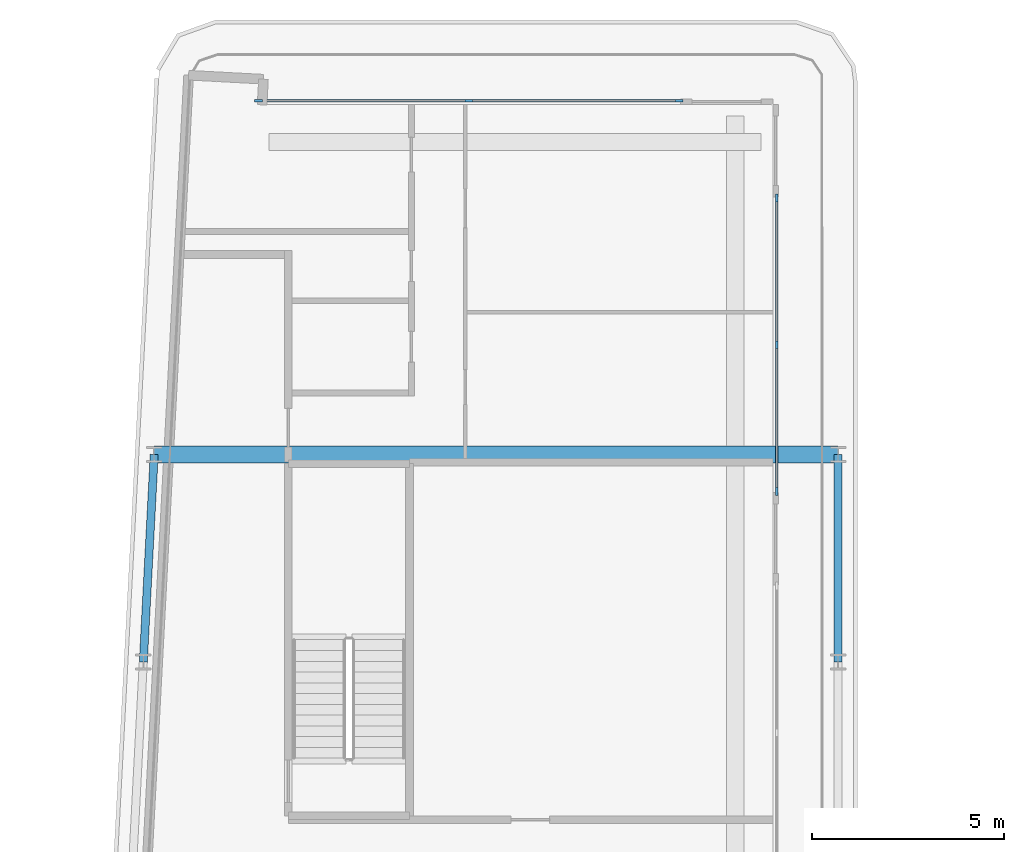
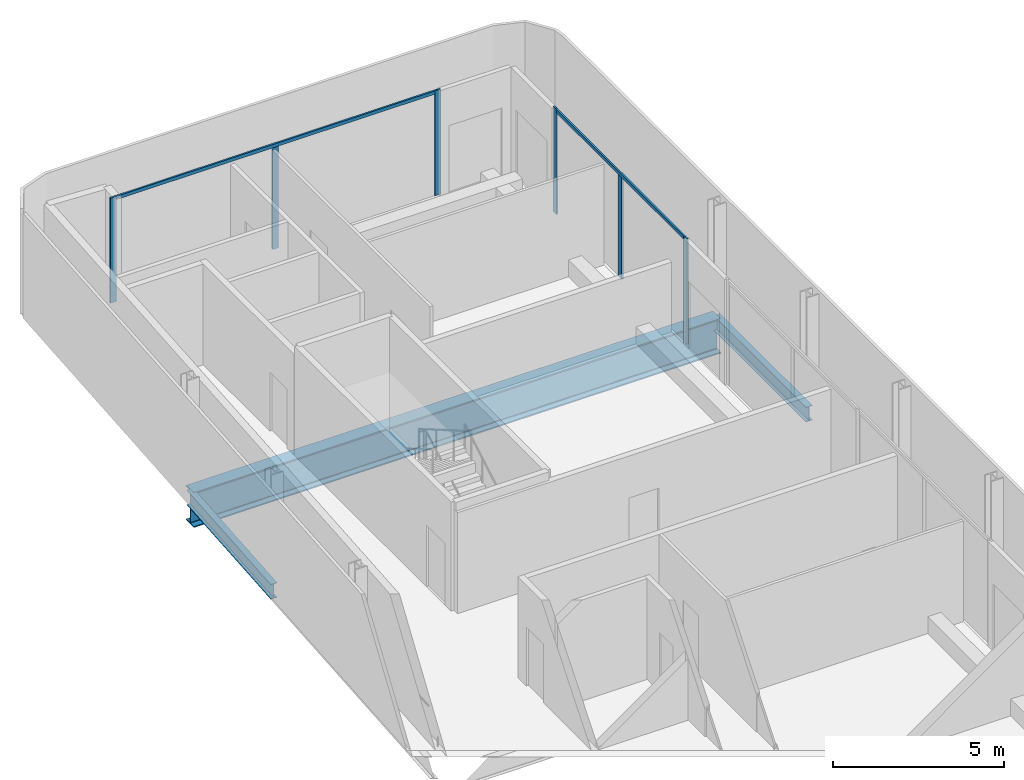
# One storey, part 7 of 23: 8 members, 3 beams, 2 elements without a shape of their own.
"""IFC4 building model written with IfcOpenShell, lengths in metres."""

from ifc_helpers import new_model, si_unit, direction, frame, origin, origin_2d, place, context, subcontext, project, spatial, rectangle, i_section, extrude, material, layer, layer_set, material_profile, profile_set, type_object, element, aggregate, save


model = new_model("IFC4")

# Units and contexts
model_context = context("Model", 3, precision=1e-05, world=origin(), true_north=direction((0.0, 1.0)))
body_context = subcontext(model_context, "Body", "Model", "MODEL_VIEW")
ifc_project = project(units=[si_unit("LENGTHUNIT", "METRE"), si_unit("AREAUNIT", "SQUARE_METRE"), si_unit("VOLUMEUNIT", "CUBIC_METRE"), si_unit("PLANEANGLEUNIT", "RADIAN"), si_unit("MASSUNIT", "GRAM", prefix="KILO")], contexts=[model_context])

# Site, building, storey
site_placement = place(None, origin())
site = spatial("IfcSite", under=ifc_project, at=site_placement, CompositionType="ELEMENT")
building_placement = place(site_placement, origin())
building = spatial("IfcBuilding", under=site, at=building_placement, Name="Kheshtan School and Residences Tower", CompositionType="ELEMENT")
storey_placement = place(building_placement, frame((0.0, 0.0, 247.39990234375)))
storey = spatial("IfcBuildingStorey", under=building, at=storey_placement, Name="L58", CompositionType="ELEMENT", Elevation=247.39990234375)

# Beams
ifc_material_1 = material(Name="Steel ASTM A992 Grade 50", Category="steel")
ifc_material_profile_1 = material_profile(ifc_material_1, i_section(OverallWidth=0.208984375, OverallDepth=0.532958984375, WebThickness=0.01025390625, FlangeThickness=0.015625, FilletRadius=0.013916015625, at=origin_2d()), Name="W530x92")
ifc_profile_set_1 = profile_set([ifc_material_profile_1], Name="Steel ASTM A992 Grade 50")
beam_type_1 = type_object("IfcBeamType", Name="Beam SP3 W530x92 ASTM A992 Grade 50", PredefinedType="BEAM", material=ifc_profile_set_1)
beam_1_placement = place(storey_placement, frame((47.60009765625, 88.800048828125, -0.41650390625), z_axis=(0.0, -1.0, 0.0), x_axis=(1.0, 0.0, 0.0)))
element("IfcBeam", 1, at=beam_1_placement, inside=storey, type_object=beam_type_1, Name="Spandrel beam C099-C091", PredefinedType="BEAM", context=body_context, shape_type="SweptSolid", body=[
    extrude(i_section(OverallWidth=0.208984375, OverallDepth=0.532958984375, WebThickness=0.01025390625, FlangeThickness=0.015625, FilletRadius=0.013916015625, at=origin_2d()), origin(), (0.0, 0.0, 1.0), 5.400146484375),
])
beam_2_placement = place(storey_placement, frame((29.527099609375, 83.39990234375, -0.41650390625), z_axis=(0.05250670125, 0.998620571751, 0.0), x_axis=(-0.998620571751, 0.05250670125, 0.0)))
element("IfcBeam", 2, at=beam_2_placement, inside=storey, type_object=beam_type_1, Name="Spandrel beam C090-C098", PredefinedType="BEAM", context=body_context, shape_type="SweptSolid", body=[
    extrude(i_section(OverallWidth=0.208984375, OverallDepth=0.532958984375, WebThickness=0.01025390625, FlangeThickness=0.015625, FilletRadius=0.013916015625, at=origin_2d()), origin(), (0.0, 0.0, 1.0), 5.40771484375),
])

# Curtain wall, members
ifc_material_2 = material(Name="Clear low-e glass in thermally broken aluminium frame", Category="aluminium")
ifc_layer = layer(ifc_material_2, 0.199951171875)
ifc_layer_set = layer_set([ifc_layer], Name="Curtain wall CW-L")
curtain_wall_type = type_object("IfcCurtainWallType", Name="Curtain wall CW-L", PredefinedType="NOTDEFINED", material=ifc_layer_set)
curtain_wall_1_placement = place(storey_placement, origin())
curtain_wall_1 = element("IfcCurtainWall", 3, at=curtain_wall_1_placement, inside=storey, type_object=curtain_wall_type, Name="Curtain wall CWL7", PredefinedType="NOTDEFINED")
ifc_material_3 = material(Name="Thermally broken aluminium, dark bronze anodised", Category="aluminium")
ifc_material_profile_2 = material_profile(ifc_material_3, rectangle(XDim=0.06005859375, YDim=0.199951171875, at=origin_2d()), Name="CW-L mullion 60x200")
ifc_profile_set_2 = profile_set([ifc_material_profile_2], Name="Thermally broken aluminium, dark bronze anodised")
member_type_1 = type_object("IfcMemberType", Name="CW-L mullion 60x200", PredefinedType="MULLION", material=ifc_profile_set_2)
member_1_placement = place(storey_placement, frame((32.52197265625, 98.0, 0.0), z_axis=(0.0, 0.0, 1.0), x_axis=(0.0, 1.0, 0.0)))
member_1 = element("IfcMember", 4, at=member_1_placement, type_object=member_type_1, Name="CWL7 mullion 1", PredefinedType="MULLION", context=body_context, shape_type="SweptSolid", body=[
    extrude(rectangle(XDim=0.06005859375, YDim=0.199951171875, at=origin_2d()), origin(), (0.0, 0.0, 1.0), 3.75),
])
member_2_placement = place(storey_placement, frame((37.99609375, 98.0, 0.0), z_axis=(0.0, 0.0, 1.0), x_axis=(0.0, 1.0, 0.0)))
member_2 = element("IfcMember", 5, at=member_2_placement, type_object=member_type_1, Name="CWL7 mullion 2", PredefinedType="MULLION", context=body_context, shape_type="SweptSolid", body=[
    extrude(rectangle(XDim=0.06005859375, YDim=0.199951171875, at=origin_2d()), origin(), (0.0, 0.0, 1.0), 3.630126953125),
])
member_3_placement = place(storey_placement, frame((43.469970703125, 98.0, 0.0), z_axis=(0.0, 0.0, 1.0), x_axis=(0.0, 1.0, 0.0)))
member_3 = element("IfcMember", 6, at=member_3_placement, type_object=member_type_1, Name="CWL7 mullion 3", PredefinedType="MULLION", context=body_context, shape_type="SweptSolid", body=[
    extrude(rectangle(XDim=0.06005859375, YDim=0.199951171875, at=origin_2d()), origin(), (0.0, 0.0, 1.0), 3.75),
])

curtain_wall_2_placement = place(storey_placement, origin())
curtain_wall_2 = element("IfcCurtainWall", 7, at=curtain_wall_2_placement, inside=storey, type_object=curtain_wall_type, Name="Curtain wall CWL8", PredefinedType="NOTDEFINED")
member_4_placement = place(storey_placement, frame((46.0, 95.469970703125, 0.0), z_axis=(0.0, 0.0, 1.0), x_axis=(1.0, 0.0, 0.0)))
member_4 = element("IfcMember", 8, at=member_4_placement, type_object=member_type_1, Name="CWL8 mullion 1", PredefinedType="MULLION", context=body_context, shape_type="SweptSolid", body=[
    extrude(rectangle(XDim=0.06005859375, YDim=0.199951171875, at=origin_2d()), origin(), (0.0, 0.0, 1.0), 3.75),
])
member_5_placement = place(storey_placement, frame((46.0, 91.653076171875, 0.0), z_axis=(0.0, 0.0, 1.0), x_axis=(1.0, 0.0, 0.0)))
member_5 = element("IfcMember", 9, at=member_5_placement, type_object=member_type_1, Name="CWL8 mullion 2", PredefinedType="MULLION", context=body_context, shape_type="SweptSolid", body=[
    extrude(rectangle(XDim=0.06005859375, YDim=0.199951171875, at=origin_2d()), origin(), (0.0, 0.0, 1.0), 3.630126953125),
])
member_6_placement = place(storey_placement, frame((46.0, 87.8359375, 0.0), z_axis=(0.0, 0.0, 1.0), x_axis=(1.0, 0.0, 0.0)))
member_6 = element("IfcMember", 10, at=member_6_placement, type_object=member_type_1, Name="CWL8 mullion 3", PredefinedType="MULLION", context=body_context, shape_type="SweptSolid", body=[
    extrude(rectangle(XDim=0.06005859375, YDim=0.199951171875, at=origin_2d()), origin(), (0.0, 0.0, 1.0), 3.75),
])

# Member
ifc_material_profile_3 = material_profile(ifc_material_3, rectangle(XDim=0.06005859375, YDim=0.1201171875, at=origin_2d()), Name="CW-L transom 60x120")
ifc_profile_set_3 = profile_set([ifc_material_profile_3], Name="Thermally broken aluminium, dark bronze anodised")
member_type_2 = type_object("IfcMemberType", Name="CW-L transom 60x120", PredefinedType="USERDEFINED", material=ifc_profile_set_3)
member_7_placement = place(storey_placement, frame((32.552001953125, 98.0, 3.690185546875), z_axis=(1.0, 0.0, 0.0), x_axis=(0.0, 1.0, 0.0)))
member_7 = element("IfcMember", 11, at=member_7_placement, type_object=member_type_2, Name="CWL7 transom 1", ObjectType="TRANSOM", PredefinedType="USERDEFINED", context=body_context, shape_type="SweptSolid", body=[
    extrude(rectangle(XDim=0.06005859375, YDim=0.1201171875, at=origin_2d()), origin(), (0.0, 0.0, 1.0), 10.887939453125),
])

aggregate(curtain_wall_1, [member_1, member_2, member_3, member_7])

member_8_placement = place(storey_placement, frame((46.0, 95.43994140625, 3.690185546875), z_axis=(0.0, -1.0, 0.0), x_axis=(1.0, 0.0, 0.0)))
member_8 = element("IfcMember", 12, at=member_8_placement, type_object=member_type_2, Name="CWL8 transom 1", ObjectType="TRANSOM", PredefinedType="USERDEFINED", context=body_context, shape_type="SweptSolid", body=[
    extrude(rectangle(XDim=0.06005859375, YDim=0.1201171875, at=origin_2d()), origin(), (0.0, 0.0, 1.0), 7.573974609375),
])

aggregate(curtain_wall_2, [member_4, member_5, member_6, member_8])

# Beam
ifc_material_profile_4 = material_profile(ifc_material_1, i_section(OverallWidth=0.449951171875, OverallDepth=1.25, WebThickness=0.02490234375, FlangeThickness=0.044921875, FilletRadius=0.03759765625, at=origin_2d()), Name="WWF1250x546")
ifc_profile_set_4 = profile_set([ifc_material_profile_4], Name="Steel ASTM A992 Grade 50")
beam_type_2 = type_object("IfcBeamType", Name="Transfer girder TG4 WWF1250x546 ASTM A992 Grade 50", PredefinedType="BEAM", material=ifc_profile_set_4)
beam_3_placement = place(storey_placement, frame((29.81103515625, 88.800048828125, -0.77490234375), z_axis=(1.0, 0.0, 0.0), x_axis=(0.0, 1.0, 0.0)))
element("IfcBeam", 13, at=beam_3_placement, inside=storey, type_object=beam_type_2, Name="Transfer girder C098-C099", PredefinedType="BEAM", context=body_context, shape_type="SweptSolid", body=[
    extrude(i_section(OverallWidth=0.449951171875, OverallDepth=1.25, WebThickness=0.02490234375, FlangeThickness=0.044921875, FilletRadius=0.03759765625, at=origin_2d()), origin(), (0.0, 0.0, 1.0), 17.7890625),
])

save(model, "model.ifc")
